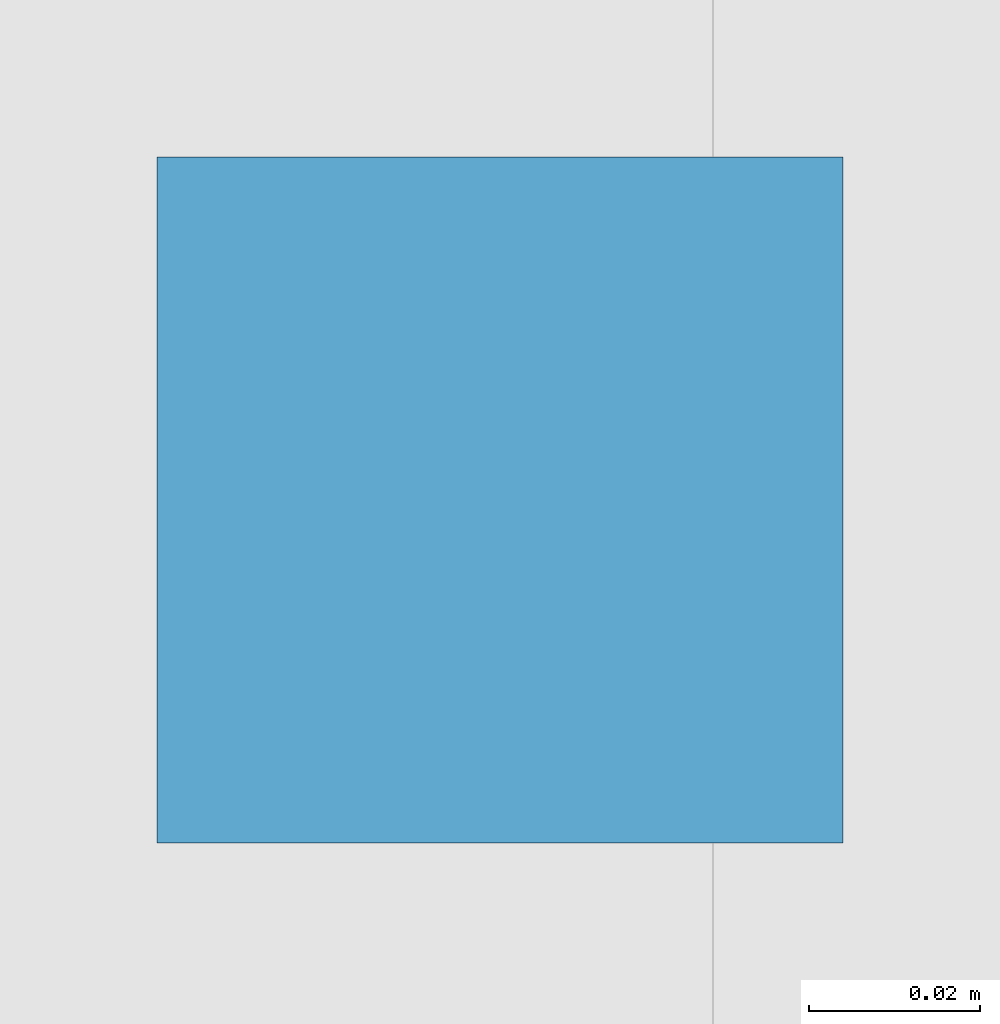
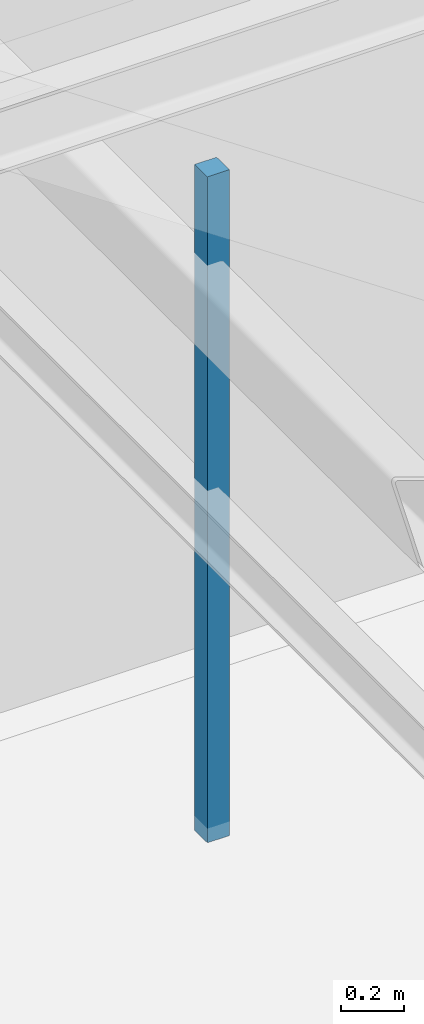
# One storey, part 63 of 65: 1 discrete accessory.
"""IFC4 building model written with IfcOpenShell, lengths in metres."""

from ifc_helpers import new_model, si_unit, direction, frame, origin, origin_2d, place, context, subcontext, project, spatial, rectangle, extrude, material, layer, layer_set, type_object, element, save


model = new_model("IFC4")

# Units and contexts
model_context = context("Model", 3, precision=1e-05, world=origin(), true_north=direction((0.0, 1.0)))
body_context = subcontext(model_context, "Body", "Model", "MODEL_VIEW")
ifc_project = project(units=[si_unit("LENGTHUNIT", "METRE"), si_unit("AREAUNIT", "SQUARE_METRE"), si_unit("VOLUMEUNIT", "CUBIC_METRE"), si_unit("PLANEANGLEUNIT", "RADIAN"), si_unit("MASSUNIT", "GRAM", prefix="KILO")], contexts=[model_context])

# Site, building, storey
site_placement = place(None, origin())
site = spatial("IfcSite", under=ifc_project, at=site_placement, CompositionType="ELEMENT")
building_placement = place(site_placement, origin())
building = spatial("IfcBuilding", under=site, at=building_placement, Name="Varnabhumi Central Station", CompositionType="ELEMENT")
storey_placement = place(building_placement, frame((0.0, 0.0, 24.60009765625)))
storey = spatial("IfcBuildingStorey", under=building, at=storey_placement, Name="L05", CompositionType="ELEMENT", Elevation=24.60009765625)

# Discrete accessory
ifc_material = material(Name="Structural steel E350", Category="steel")
ifc_layer = layer(ifc_material, 0.159912109375, Name="Structural steel E350", Category="steel")
ifc_layer_set = layer_set([ifc_layer], Name="Structural steel E350")
discrete_accessory_type = type_object("IfcDiscreteAccessoryType", Name="ACC-SHADE-BRKT", PredefinedType="BRACKET", material=ifc_layer_set)
discrete_accessory_placement = place(storey_placement, frame((132.050048828125, 4.5, 2.83984375), z_axis=(0.0, 0.0, 1.0), x_axis=(1.0, 0.0, 0.0)))
element("IfcDiscreteAccessory", 1, at=discrete_accessory_placement, inside=storey, type_object=discrete_accessory_type, Name="Female Train Crew Locker and Rest Room Ceiling Hanger", PredefinedType="BRACKET", context=body_context, shape_type="SweptSolid", body=[
    extrude(rectangle(XDim=0.080078125, YDim=0.080078125, at=origin_2d()), origin(), (0.0, 0.0, 1.0), 2.570068359375),
])

save(model, "model.ifc")
